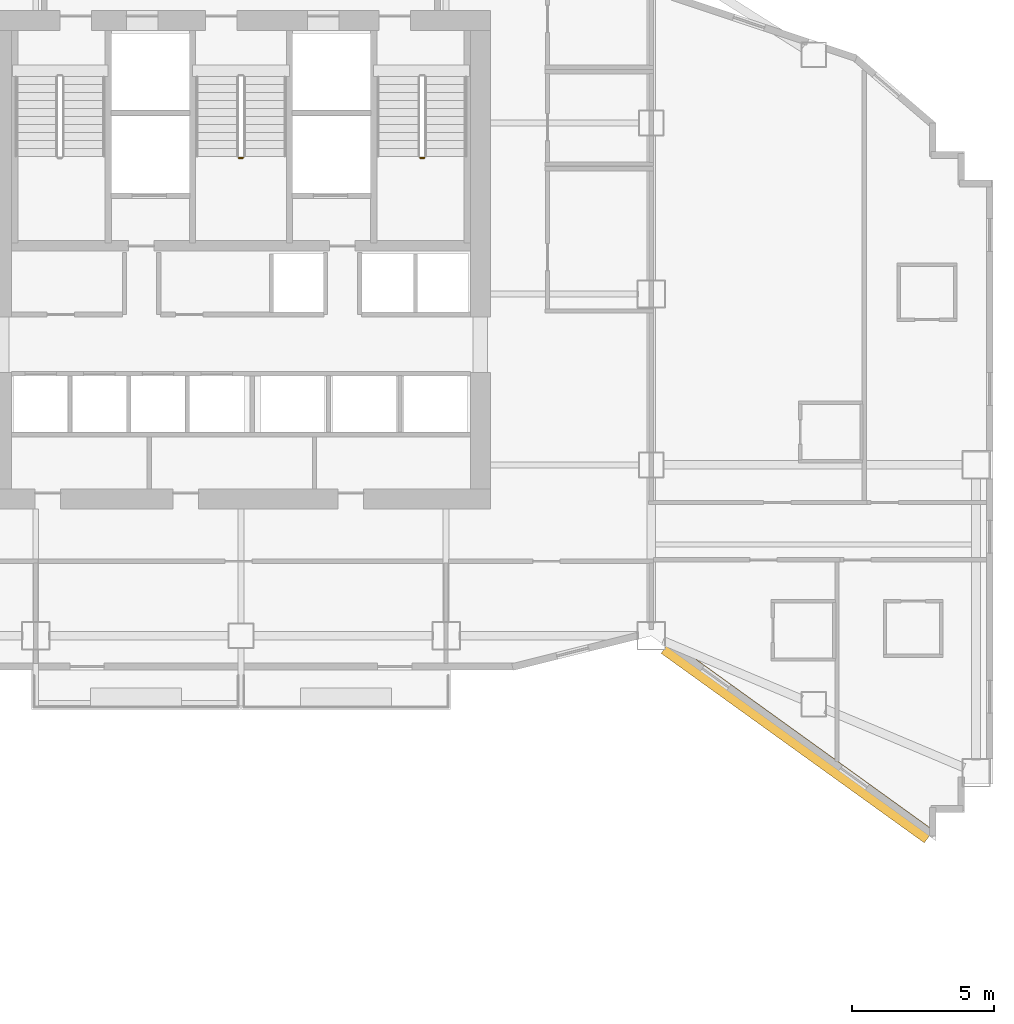
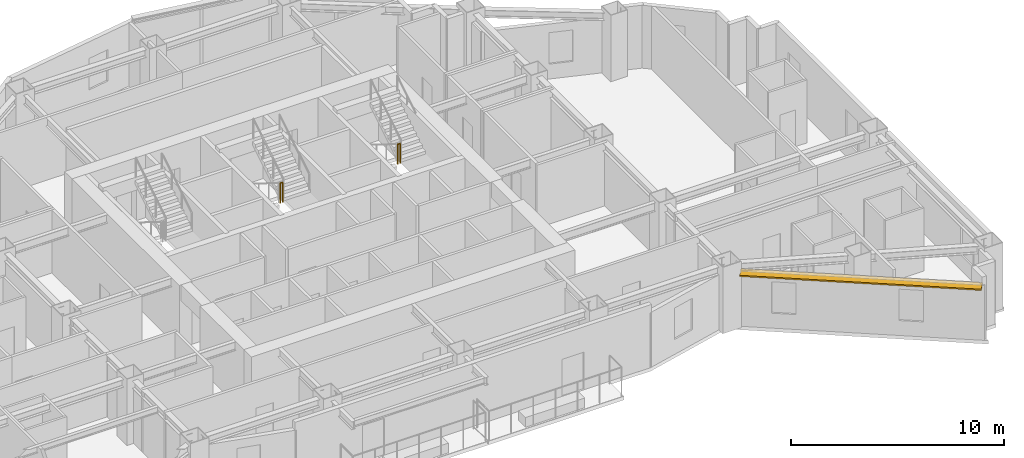
# One storey, part 13 of 14: 2 railings, 1 shading device.
"""IFC4 building model written with IfcOpenShell, lengths in metres."""

from ifc_helpers import new_model, si_unit, direction, frame, origin, origin_2d, place, context, subcontext, project, spatial, rectangle, circle, extrude, material, layer, layer_set, type_object, element, save


model = new_model("IFC4")

# Units and contexts
model_context = context("Model", 3, precision=1e-05, world=origin(), true_north=direction((0.0, 1.0)))
body_context = subcontext(model_context, "Body", "Model", "MODEL_VIEW")
ifc_project = project(units=[si_unit("LENGTHUNIT", "METRE"), si_unit("AREAUNIT", "SQUARE_METRE"), si_unit("VOLUMEUNIT", "CUBIC_METRE"), si_unit("PLANEANGLEUNIT", "RADIAN"), si_unit("MASSUNIT", "GRAM", prefix="KILO")], contexts=[model_context])

# Site, building, storey
site_placement = place(None, origin())
site = spatial("IfcSite", under=ifc_project, at=site_placement, CompositionType="ELEMENT")
building_placement = place(site_placement, origin())
building = spatial("IfcBuilding", under=site, at=building_placement, Name="Haolan Belvedere Tower", CompositionType="ELEMENT")
storey_placement = place(building_placement, frame((0.0, 0.0, 109.800048828125)))
storey = spatial("IfcBuildingStorey", under=building, at=storey_placement, Name="L27", CompositionType="ELEMENT", Elevation=109.800048828125)

# Railings
ifc_material_1 = material(Name="Brushed stainless steel 304", Category="steel")
railing_type = type_object("IfcRailingType", Name="RL-STAIR-GRD-1150", PredefinedType="GUARDRAIL", material=ifc_material_1)
railing_1_placement = place(storey_placement, frame((38.330078125, 38.3798828125, 1.89990234375)))
element("IfcRailing", 1, at=railing_1_placement, inside=storey, type_object=railing_type, Name="L27 ST3 stair guard 2", PredefinedType="GUARDRAIL", context=body_context, shape_type="SweptSolid", body=[
    extrude(circle(Radius=0.02392578125, at=origin_2d()), frame((0.0, 0.0, 1.1259765625), z_axis=(1.0, 0.0, 0.0), x_axis=(0.0, 1.0, 0.0)), (0.0, 0.0, 1.0), 0.139892578125),
    extrude(circle(Radius=0.02099609375, at=origin_2d()), origin(), (0.0, 0.0, 1.0), 1.101806640625),
    extrude(circle(Radius=0.02099609375, at=origin_2d()), frame((0.139892578125, 0.0, 0.0)), (0.0, 0.0, 1.0), 1.101806640625),
])
railing_2_placement = place(storey_placement, frame((44.68994140625, 38.3798828125, 1.89990234375)))
element("IfcRailing", 2, at=railing_2_placement, inside=storey, type_object=railing_type, Name="L27 ST2 stair guard 2", PredefinedType="GUARDRAIL", context=body_context, shape_type="SweptSolid", body=[
    extrude(circle(Radius=0.02392578125, at=origin_2d()), frame((0.0, 0.0, 1.1259765625), z_axis=(1.0, 0.0, 0.0), x_axis=(0.0, 1.0, 0.0)), (0.0, 0.0, 1.0), 0.14013671875),
    extrude(circle(Radius=0.02099609375, at=origin_2d()), origin(), (0.0, 0.0, 1.0), 1.101806640625),
    extrude(circle(Radius=0.02099609375, at=origin_2d()), frame((0.14013671875, 0.0, 0.0)), (0.0, 0.0, 1.0), 1.101806640625),
])

# Shading device
ifc_material_2 = material(Name="Anodised champagne-silver aluminium 6063-T6", Category="aluminium")
ifc_layer = layer(ifc_material_2, 0.080078125, Name="Anodised champagne-silver aluminium 6063-T6")
ifc_layer_set = layer_set([ifc_layer], Name="Anodised champagne-silver aluminium 6063-T6")
shading_device_type = type_object("IfcShadingDeviceType", Name="SHD-SUN-550", PredefinedType="USERDEFINED", material=ifc_layer_set)
shading_device_placement = place(storey_placement, frame((57.926513671875, 17.88427734375, 3.044921875), z_axis=(0.0, 0.0, 1.0), x_axis=(0.811533191666, -0.584306322766, 0.0)))
element("IfcShadingDevice", 3, at=shading_device_placement, inside=storey, type_object=shading_device_type, Name="L27 pale-metal horizontal SUNSHADE band 9.1", ObjectType="SUNSHADE", PredefinedType="USERDEFINED", context=body_context, shape_type="SweptSolid", body=[
    extrude(rectangle(XDim=11.383056640625, YDim=0.550048828125, at=origin_2d()), origin(), (0.0, 0.0, 1.0), 0.080078125),
])

save(model, "model.ifc")
